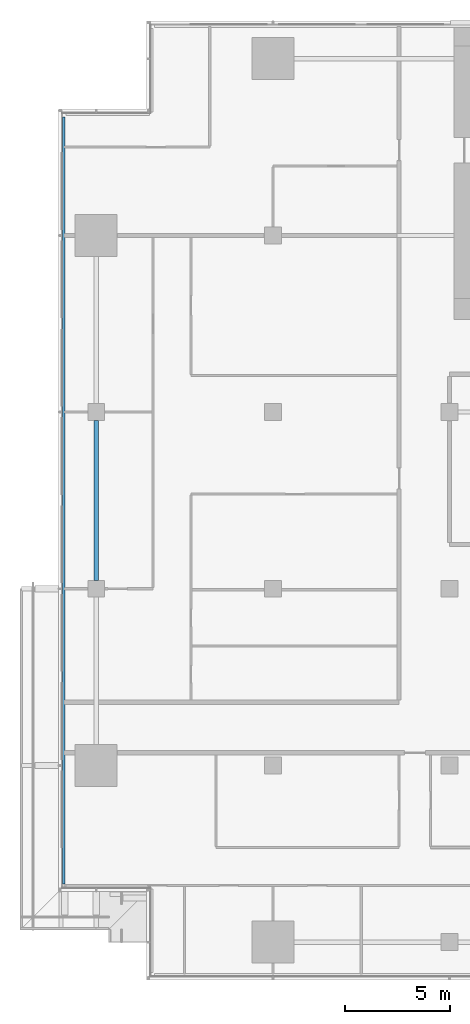
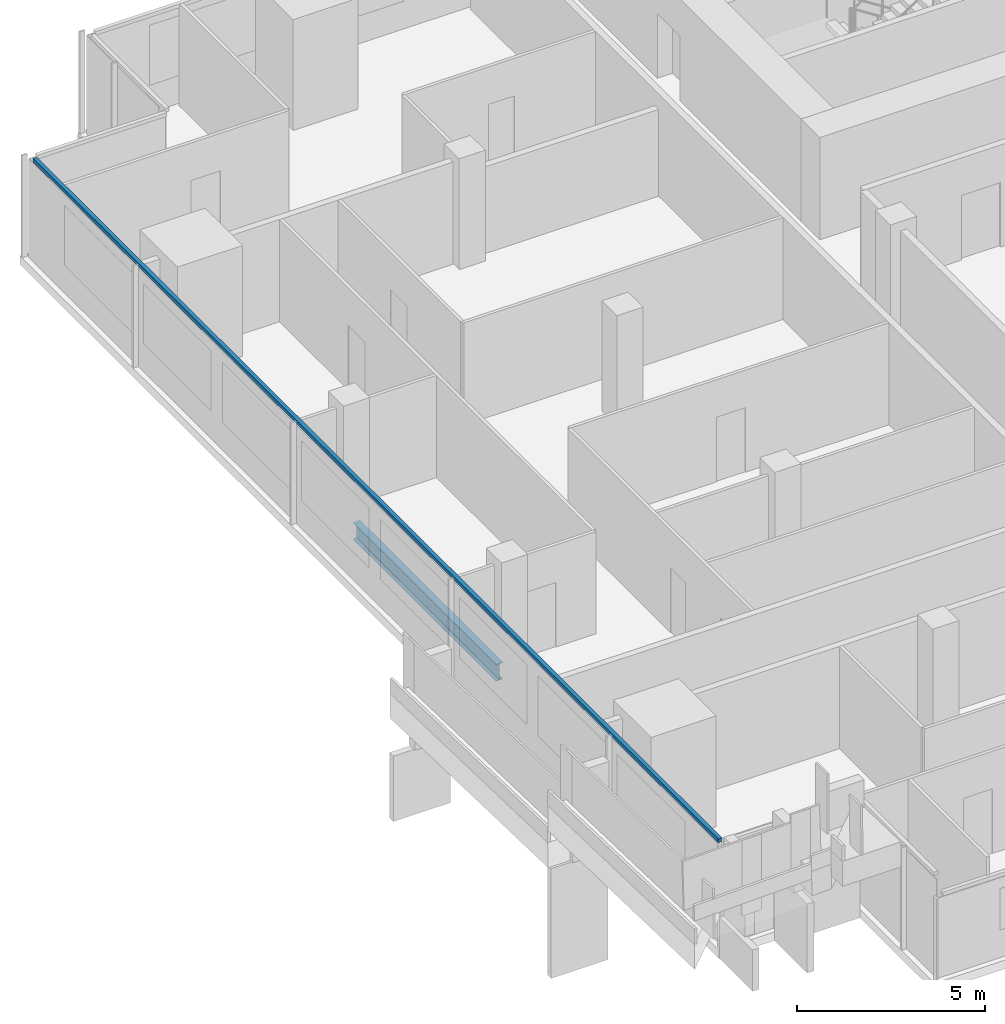
# One storey, part 3 of 27: 1 beam, 1 member, 1 element without a shape of its own.
"""IFC4 building model written with IfcOpenShell, lengths in metres."""

from ifc_helpers import new_model, si_unit, direction, frame, origin, origin_2d, place, context, subcontext, project, spatial, rectangle, i_section, extrude, material, material_profile, profile_set, type_object, element, aggregate, save


model = new_model("IFC4")

# Units and contexts
model_context = context("Model", 3, precision=1e-05, world=origin(), true_north=direction((0.0, 1.0)))
body_context = subcontext(model_context, "Body", "Model", "MODEL_VIEW")
ifc_project = project(units=[si_unit("LENGTHUNIT", "METRE"), si_unit("AREAUNIT", "SQUARE_METRE"), si_unit("VOLUMEUNIT", "CUBIC_METRE"), si_unit("PLANEANGLEUNIT", "RADIAN"), si_unit("MASSUNIT", "GRAM", prefix="KILO")], contexts=[model_context])

# Site, building, storey
site_placement = place(None, origin())
site = spatial("IfcSite", under=ifc_project, at=site_placement, CompositionType="ELEMENT")
building_placement = place(site_placement, origin())
building = spatial("IfcBuilding", under=site, at=building_placement, Name="Saffron Gate Tower", CompositionType="ELEMENT")
storey_placement = place(building_placement, frame((0.0, 0.0, 134.85009765625)))
storey = spatial("IfcBuildingStorey", under=building, at=storey_placement, Name="L32", CompositionType="ELEMENT", Elevation=134.85009765625)

# Beam
ifc_material_1 = material(Name="Structural steel S355", Category="steel")
ifc_material_profile_1 = material_profile(ifc_material_1, i_section(OverallWidth=0.2099609375, OverallDepth=0.550048828125, WebThickness=0.010986328125, FlangeThickness=0.01708984375, FilletRadius=0.02392578125, at=origin_2d()))
ifc_profile_set_1 = profile_set([ifc_material_profile_1], Name="Structural steel S355")
beam_type = type_object("IfcBeamType", Name="B13 IPE 550", PredefinedType="SPANDREL", material=ifc_profile_set_1)
beam_placement = place(storey_placement, frame((49.800048828125, 49.0, -0.55517578125), z_axis=(0.0, 1.0, 0.0), x_axis=(-1.0, 0.0, 0.0)))
element("IfcBeam", 1, at=beam_placement, inside=storey, type_object=beam_type, Name="B13 SPANDREL BEAM", PredefinedType="SPANDREL", context=body_context, shape_type="SweptSolid", body=[
    extrude(i_section(OverallWidth=0.2099609375, OverallDepth=0.550048828125, WebThickness=0.010986328125, FlangeThickness=0.01708984375, FilletRadius=0.02392578125, at=origin_2d()), origin(), (0.0, 0.0, 1.0), 7.60009765625),
])

# Curtain wall, member
ifc_material_2 = material(Name="Aluminium, bronze anodised", Category="aluminium")
curtain_wall_type = type_object("IfcCurtainWallType", Name="CWS2 curtain wall side facades", PredefinedType="NOTDEFINED", material=ifc_material_2)
curtain_wall_placement = place(storey_placement, origin())
curtain_wall = element("IfcCurtainWall", 2, at=curtain_wall_placement, inside=storey, type_object=curtain_wall_type, Name="CWS2 run 10", PredefinedType="NOTDEFINED")
ifc_material_profile_2 = material_profile(ifc_material_2, rectangle(XDim=0.1201171875, YDim=0.1201171875, at=origin_2d()))
ifc_profile_set_2 = profile_set([ifc_material_profile_2], Name="Aluminium, bronze anodised")
member_type = type_object("IfcMemberType", Name="CWS2 head transom", PredefinedType="USERDEFINED", material=ifc_profile_set_2)
member_placement = place(storey_placement, frame((48.248046875, 71.031982421875, 3.260009765625), z_axis=(0.0, -1.0, 0.0), x_axis=(1.0, 0.0, 0.0)))
member = element("IfcMember", 3, at=member_placement, type_object=member_type, Name="CWS2 head transom", ObjectType="TRANSOM", PredefinedType="USERDEFINED", context=body_context, shape_type="SweptSolid", body=[
    extrude(rectangle(XDim=0.1201171875, YDim=0.1201171875, at=origin_2d()), origin(), (0.0, 0.0, 1.0), 36.4638671875),
])
aggregate(curtain_wall, [member])

save(model, "model.ifc")
